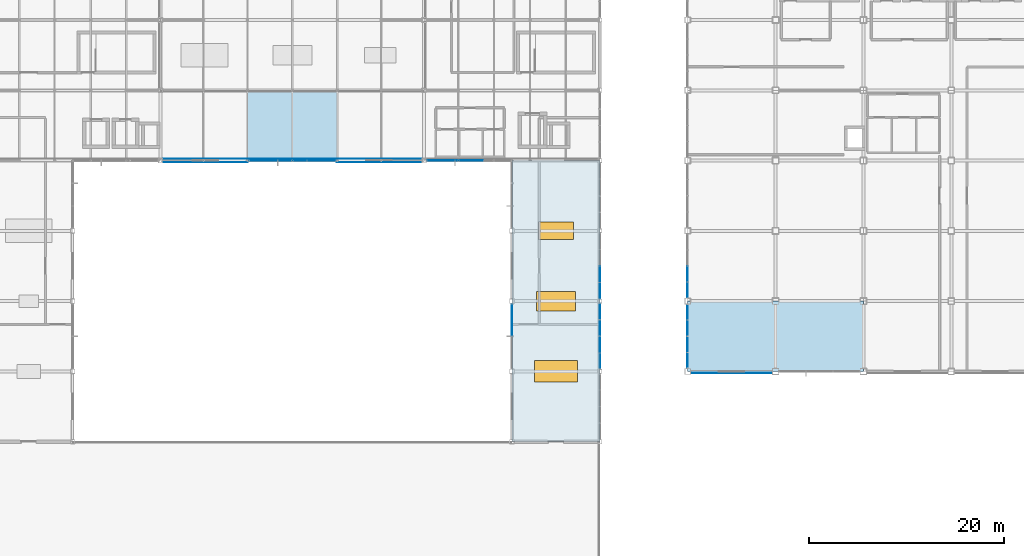
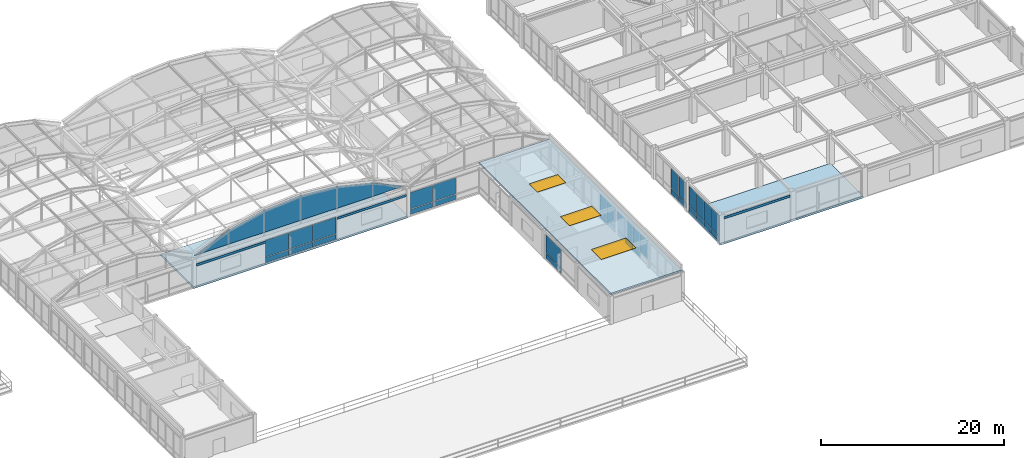
# One storey, part 79 of 106: 39 plates, 3 slabs, 3 windows, 3 openings, 7 elements without a shape of their own.
"""IFC4 building model written with IfcOpenShell, lengths in metres."""

from ifc_helpers import new_model, si_unit, direction, frame, origin, origin_2d, place, context, subcontext, project, spatial, polyline, rectangle, outline, extrude, material, layer, layer_set, type_object, element, fill, aggregate, save


model = new_model("IFC4")

# Units and contexts
model_context = context("Model", 3, precision=1e-05, world=origin(), true_north=direction((0.0, 1.0)))
body_context = subcontext(model_context, "Body", "Model", "MODEL_VIEW")
ifc_project = project(units=[si_unit("LENGTHUNIT", "METRE"), si_unit("AREAUNIT", "SQUARE_METRE"), si_unit("VOLUMEUNIT", "CUBIC_METRE"), si_unit("PLANEANGLEUNIT", "RADIAN"), si_unit("MASSUNIT", "GRAM", prefix="KILO")], contexts=[model_context])

# Site, building, storey
site_placement = place(None, origin())
site = spatial("IfcSite", under=ifc_project, at=site_placement, CompositionType="ELEMENT")
building_placement = place(site_placement, origin())
building = spatial("IfcBuilding", under=site, at=building_placement, Name="Kazanami Central Library", CompositionType="ELEMENT")
storey_placement = place(building_placement, frame((0.0, 0.0, 12.800048828125)))
storey = spatial("IfcBuildingStorey", under=building, at=storey_placement, Name="L04", CompositionType="ELEMENT", Elevation=12.800048828125)

# Plate
ifc_material_1 = material(Name="Acid-Etched Low-E Laminated Glass", Category="glass")
ifc_layer_1 = layer(ifc_material_1, 0.028076171875, Name="Acid-Etched Low-E Laminated Glass")
ifc_layer_set_1 = layer_set([ifc_layer_1], Name="Acid-Etched Low-E Laminated Glass")
plate_type_1 = type_object("IfcPlateType", Name="PLT-BVG-28", PredefinedType="SHEET", material=ifc_layer_set_1)
plate_1_placement = place(storey_placement, frame((63.25, 64.9619140625, 4.0), z_axis=(0.0, -1.0, 0.0), x_axis=(1.0, 0.0, 0.0)))
element("IfcPlate", 1, at=plate_1_placement, inside=storey, type_object=plate_type_1, Name="Glazed Barrel Vault Gable Tympanum VAULT-MAIN (South)", PredefinedType="SHEET", context=body_context, shape_type="SweptSolid", body=[
    extrude(outline(polyline([(0.0, 0.0), (26.5, 0.0), (22.27685546875, 1.889892578125), (17.822021484375, 2.982666015625), (13.25, 3.349853515625), (8.677978515625, 2.982666015625), (4.22314453125, 1.889892578125), (0.0, 0.0)])), origin(), (0.0, 0.0, -1.0), 0.028076171875),
])

# Curtain wall, plates
curtain_wall_type_1 = type_object("IfcCurtainWallType", Name="CW-9000x3080-M275", PredefinedType="USERDEFINED", material=ifc_material_1)
curtain_wall_1_placement = place(storey_placement, origin())
curtain_wall_1 = element("IfcCurtainWall", 2, at=curtain_wall_1_placement, inside=storey, type_object=curtain_wall_type_1, Name="Unitised Curtain Wall CW-41 L04 S-K-08", ObjectType="UNITISED CURTAIN WALL", PredefinedType="USERDEFINED")
ifc_layer_2 = layer(ifc_material_1, 0.035888671875, Name="Acid-Etched Low-E Laminated Glass")
ifc_layer_set_2 = layer_set([ifc_layer_2], Name="Acid-Etched Low-E Laminated Glass")
plate_type_2 = type_object("IfcPlateType", Name="PLT-CW-P1", PredefinedType="CURTAIN_PANEL", material=ifc_layer_set_2)
plate_2_placement = place(storey_placement, frame((73.517578125, 64.800048828125, 0.81494140625), z_axis=(0.0, 0.0, 1.0), x_axis=(1.0, 0.0, 0.0)))
plate_2 = element("IfcPlate", 3, at=plate_2_placement, type_object=plate_type_2, Name="CW-41 panel 1.2", PredefinedType="CURTAIN_PANEL", context=body_context, shape_type="SweptSolid", body=[
    extrude(rectangle(XDim=2.89501953125, YDim=0.035888671875, at=origin_2d()), origin(), (0.0, 0.0, 1.0), 2.195068359375),
])
plate_3_placement = place(storey_placement, frame((76.5, 64.800048828125, 0.81494140625), z_axis=(0.0, 0.0, 1.0), x_axis=(1.0, 0.0, 0.0)))
plate_3 = element("IfcPlate", 4, at=plate_3_placement, type_object=plate_type_2, Name="CW-41 panel 2.2", PredefinedType="CURTAIN_PANEL", context=body_context, shape_type="SweptSolid", body=[
    extrude(rectangle(XDim=2.929931640625, YDim=0.035888671875, at=origin_2d()), origin(), (0.0, 0.0, 1.0), 2.195068359375),
])
plate_4_placement = place(storey_placement, frame((79.482421875, 64.800048828125, 0.81494140625), z_axis=(0.0, 0.0, 1.0), x_axis=(1.0, 0.0, 0.0)))
plate_4 = element("IfcPlate", 5, at=plate_4_placement, type_object=plate_type_2, Name="CW-41 panel 3.2", PredefinedType="CURTAIN_PANEL", context=body_context, shape_type="SweptSolid", body=[
    extrude(rectangle(XDim=2.89501953125, YDim=0.035888671875, at=origin_2d()), origin(), (0.0, 0.0, 1.0), 2.195068359375),
])

curtain_wall_type_2 = type_object("IfcCurtainWallType", Name="CW-8775x3080-M275", PredefinedType="USERDEFINED", material=ifc_material_1)
curtain_wall_2_placement = place(storey_placement, origin())
curtain_wall_2 = element("IfcCurtainWall", 6, at=curtain_wall_2_placement, inside=storey, type_object=curtain_wall_type_2, Name="Unitised Curtain Wall CW-40 L04 S-K-10", ObjectType="UNITISED CURTAIN WALL", PredefinedType="USERDEFINED")
plate_5_placement = place(storey_placement, frame((91.705078125, 64.800048828125, 0.81494140625), z_axis=(0.0, 0.0, 1.0), x_axis=(1.0, 0.0, 0.0)))
plate_5 = element("IfcPlate", 7, at=plate_5_placement, type_object=plate_type_2, Name="CW-40 panel 1.2", PredefinedType="CURTAIN_PANEL", context=body_context, shape_type="SweptSolid", body=[
    extrude(rectangle(XDim=2.820068359375, YDim=0.035888671875, at=origin_2d()), origin(), (0.0, 0.0, 1.0), 2.195068359375),
])
plate_6_placement = place(storey_placement, frame((94.612548828125, 64.800048828125, 0.81494140625), z_axis=(0.0, 0.0, 1.0), x_axis=(1.0, 0.0, 0.0)))
plate_6 = element("IfcPlate", 8, at=plate_6_placement, type_object=plate_type_2, Name="CW-40 panel 2.2", PredefinedType="CURTAIN_PANEL", context=body_context, shape_type="SweptSolid", body=[
    extrude(rectangle(XDim=2.85498046875, YDim=0.035888671875, at=origin_2d()), origin(), (0.0, 0.0, 1.0), 2.195068359375),
])

# Curtain wall, plate
curtain_wall_type_3 = type_object("IfcCurtainWallType", Name="CW-6750x3330-M275", PredefinedType="USERDEFINED", material=ifc_material_1)
curtain_wall_3_placement = place(storey_placement, origin())
curtain_wall_3 = element("IfcCurtainWall", 9, at=curtain_wall_3_placement, inside=storey, type_object=curtain_wall_type_3, Name="Unitised Curtain Wall CW-45 L04 W-12-06", ObjectType="UNITISED CURTAIN WALL", PredefinedType="USERDEFINED")
plate_7_placement = place(storey_placement, frame((99.0, 48.469970703125, 0.81494140625), z_axis=(0.0, 0.0, 1.0), x_axis=(0.0, 1.0, 0.0)))
plate_7 = element("IfcPlate", 10, at=plate_7_placement, type_object=plate_type_2, Name="CW-45 panel 2.2", PredefinedType="CURTAIN_PANEL", context=body_context, shape_type="SweptSolid", body=[
    extrude(rectangle(XDim=3.27001953125, YDim=0.035888671875, at=origin_2d()), origin(), (0.0, 0.0, 1.0), 2.445068359375),
])

# Curtain wall, plates
curtain_wall_type_4 = type_object("IfcCurtainWallType", Name="CW-6800x3330-M180", PredefinedType="USERDEFINED", material=ifc_material_1)
curtain_wall_4_placement = place(storey_placement, origin())
curtain_wall_4 = element("IfcCurtainWall", 11, at=curtain_wall_4_placement, inside=storey, type_object=curtain_wall_type_4, Name="Covered Link Bridge Curtain Wall CW-44 L04 E-13-06", ObjectType="UNITISED CURTAIN WALL", PredefinedType="USERDEFINED")
ifc_material_2 = material(Name="Low-E Insulated Triple Glass", Category="glass")
ifc_layer_3 = layer(ifc_material_2, 0.0400390625, Name="Low-E Insulated Triple Glass")
ifc_layer_set_3 = layer_set([ifc_layer_3], Name="Low-E Insulated Triple Glass")
plate_type_3 = type_object("IfcPlateType", Name="PLT-CW-P3", PredefinedType="CURTAIN_PANEL", material=ifc_layer_set_3)
plate_8_placement = place(storey_placement, frame((108.0, 49.33251953125, 0.81494140625), z_axis=(0.0, 0.0, 1.0), x_axis=(0.0, -1.0, 0.0)))
plate_8 = element("IfcPlate", 12, at=plate_8_placement, type_object=plate_type_3, Name="CW-44 panel 1.2", PredefinedType="CURTAIN_PANEL", context=body_context, shape_type="SweptSolid", body=[
    extrude(rectangle(XDim=1.594970703125, YDim=0.0400390625, at=origin_2d()), origin(), (0.0, 0.0, 1.0), 2.445068359375),
])
plate_9_placement = place(storey_placement, frame((108.0, 47.64990234375, 0.81494140625), z_axis=(0.0, 0.0, 1.0), x_axis=(0.0, -1.0, 0.0)))
plate_9 = element("IfcPlate", 13, at=plate_9_placement, type_object=plate_type_3, Name="CW-44 panel 2.2", PredefinedType="CURTAIN_PANEL", context=body_context, shape_type="SweptSolid", body=[
    extrude(rectangle(XDim=1.6298828125, YDim=0.0400390625, at=origin_2d()), origin(), (0.0, 0.0, 1.0), 2.445068359375),
])
plate_10_placement = place(storey_placement, frame((108.0, 45.949951171875, 0.81494140625), z_axis=(0.0, 0.0, 1.0), x_axis=(0.0, -1.0, 0.0)))
plate_10 = element("IfcPlate", 14, at=plate_10_placement, type_object=plate_type_3, Name="CW-44 panel 3.2", PredefinedType="CURTAIN_PANEL", context=body_context, shape_type="SweptSolid", body=[
    extrude(rectangle(XDim=1.6298828125, YDim=0.0400390625, at=origin_2d()), origin(), (0.0, 0.0, 1.0), 2.445068359375),
])
plate_11_placement = place(storey_placement, frame((108.0, 44.267578125, 0.81494140625), z_axis=(0.0, 0.0, 1.0), x_axis=(0.0, -1.0, 0.0)))
plate_11 = element("IfcPlate", 15, at=plate_11_placement, type_object=plate_type_3, Name="CW-44 panel 4.2", PredefinedType="CURTAIN_PANEL", context=body_context, shape_type="SweptSolid", body=[
    extrude(rectangle(XDim=1.594970703125, YDim=0.0400390625, at=origin_2d()), origin(), (0.0, 0.0, 1.0), 2.445068359375),
])

curtain_wall_5_placement = place(storey_placement, origin())
curtain_wall_5 = element("IfcCurtainWall", 16, at=curtain_wall_5_placement, inside=storey, type_object=curtain_wall_type_4, Name="Covered Link Bridge Curtain Wall CW-44 L04 E-13-07", ObjectType="UNITISED CURTAIN WALL", PredefinedType="USERDEFINED")
plate_12_placement = place(storey_placement, frame((108.0, 53.14990234375, 0.81494140625), z_axis=(0.0, 0.0, 1.0), x_axis=(0.0, -1.0, 0.0)))
plate_12 = element("IfcPlate", 17, at=plate_12_placement, type_object=plate_type_3, Name="CW-44 panel 3.2", PredefinedType="CURTAIN_PANEL", context=body_context, shape_type="SweptSolid", body=[
    extrude(rectangle(XDim=1.6298828125, YDim=0.0400390625, at=origin_2d()), origin(), (0.0, 0.0, 1.0), 2.445068359375),
])
plate_13_placement = place(storey_placement, frame((108.0, 51.467529296875, 0.81494140625), z_axis=(0.0, 0.0, 1.0), x_axis=(0.0, -1.0, 0.0)))
plate_13 = element("IfcPlate", 18, at=plate_13_placement, type_object=plate_type_3, Name="CW-44 panel 4.2", PredefinedType="CURTAIN_PANEL", context=body_context, shape_type="SweptSolid", body=[
    extrude(rectangle(XDim=1.594970703125, YDim=0.0400390625, at=origin_2d()), origin(), (0.0, 0.0, 1.0), 2.445068359375),
])

curtain_wall_type_5 = type_object("IfcCurtainWallType", Name="CW-6600x3525-M180", PredefinedType="USERDEFINED", material=ifc_material_1)
curtain_wall_6_placement = place(storey_placement, origin())
curtain_wall_6 = element("IfcCurtainWall", 19, at=curtain_wall_6_placement, inside=storey, type_object=curtain_wall_type_5, Name="Covered Link Bridge Curtain Wall CW-47 L04 W-14-06", ObjectType="UNITISED CURTAIN WALL", PredefinedType="USERDEFINED")
plate_14_placement = place(storey_placement, frame((117.0, 44.340087890625, 0.81005859375), z_axis=(0.0, 0.0, 1.0), x_axis=(0.0, 1.0, 0.0)))
plate_14 = element("IfcPlate", 20, at=plate_14_placement, type_object=plate_type_3, Name="CW-47 panel 1.2", PredefinedType="CURTAIN_PANEL", context=body_context, shape_type="SweptSolid", body=[
    extrude(rectangle(XDim=1.56005859375, YDim=0.0400390625, at=origin_2d()), origin(), (0.0, 0.0, 1.0), 2.655029296875),
])
plate_15_placement = place(storey_placement, frame((117.0, 45.97509765625, 0.81005859375), z_axis=(0.0, 0.0, 1.0), x_axis=(0.0, 1.0, 0.0)))
plate_15 = element("IfcPlate", 21, at=plate_15_placement, type_object=plate_type_3, Name="CW-47 panel 2.2", PredefinedType="CURTAIN_PANEL", context=body_context, shape_type="SweptSolid", body=[
    extrude(rectangle(XDim=1.590087890625, YDim=0.0400390625, at=origin_2d()), origin(), (0.0, 0.0, 1.0), 2.655029296875),
])
plate_16_placement = place(storey_placement, frame((117.0, 47.625, 0.81005859375), z_axis=(0.0, 0.0, 1.0), x_axis=(0.0, 1.0, 0.0)))
plate_16 = element("IfcPlate", 22, at=plate_16_placement, type_object=plate_type_3, Name="CW-47 panel 3.2", PredefinedType="CURTAIN_PANEL", context=body_context, shape_type="SweptSolid", body=[
    extrude(rectangle(XDim=1.590087890625, YDim=0.0400390625, at=origin_2d()), origin(), (0.0, 0.0, 1.0), 2.655029296875),
])
plate_17_placement = place(storey_placement, frame((117.0, 49.260009765625, 0.81005859375), z_axis=(0.0, 0.0, 1.0), x_axis=(0.0, 1.0, 0.0)))
plate_17 = element("IfcPlate", 23, at=plate_17_placement, type_object=plate_type_3, Name="CW-47 panel 4.2", PredefinedType="CURTAIN_PANEL", context=body_context, shape_type="SweptSolid", body=[
    extrude(rectangle(XDim=1.56005859375, YDim=0.0400390625, at=origin_2d()), origin(), (0.0, 0.0, 1.0), 2.655029296875),
])

curtain_wall_type_6 = type_object("IfcCurtainWallType", Name="CW-6600x3490-M180", PredefinedType="USERDEFINED", material=ifc_material_1)
curtain_wall_7_placement = place(storey_placement, origin())
curtain_wall_7 = element("IfcCurtainWall", 24, at=curtain_wall_7_placement, inside=storey, type_object=curtain_wall_type_6, Name="Covered Link Bridge Curtain Wall CW-48 L04 W-14-07", ObjectType="UNITISED CURTAIN WALL", PredefinedType="USERDEFINED")
plate_18_placement = place(storey_placement, frame((117.0, 51.5400390625, 0.809814453125), z_axis=(0.0, 0.0, 1.0), x_axis=(0.0, 1.0, 0.0)))
plate_18 = element("IfcPlate", 25, at=plate_18_placement, type_object=plate_type_3, Name="CW-48 panel 1.2", PredefinedType="CURTAIN_PANEL", context=body_context, shape_type="SweptSolid", body=[
    extrude(rectangle(XDim=1.56005859375, YDim=0.0400390625, at=origin_2d()), origin(), (0.0, 0.0, 1.0), 2.6201171875),
])
plate_19_placement = place(storey_placement, frame((117.0, 53.175048828125, 0.809814453125), z_axis=(0.0, 0.0, 1.0), x_axis=(0.0, 1.0, 0.0)))
plate_19 = element("IfcPlate", 26, at=plate_19_placement, type_object=plate_type_3, Name="CW-48 panel 2.2", PredefinedType="CURTAIN_PANEL", context=body_context, shape_type="SweptSolid", body=[
    extrude(rectangle(XDim=1.590087890625, YDim=0.0400390625, at=origin_2d()), origin(), (0.0, 0.0, 1.0), 2.6201171875),
])

# Plate
ifc_material_3 = material(Name="Anodised Aluminium A5052-H32", Category="aluminium")
ifc_layer_4 = layer(ifc_material_3, 0.06005859375, Name="Anodised Aluminium A5052-H32")
ifc_layer_set_4 = layer_set([ifc_layer_4], Name="Anodised Aluminium A5052-H32")
plate_type_4 = type_object("IfcPlateType", Name="PLT-CW-SP1", PredefinedType="CURTAIN_PANEL", material=ifc_layer_set_4)
plate_20_placement = place(storey_placement, frame((73.517578125, 64.800048828125, 0.06982421875), z_axis=(0.0, 0.0, 1.0), x_axis=(1.0, 0.0, 0.0)))
plate_20 = element("IfcPlate", 27, at=plate_20_placement, type_object=plate_type_4, Name="CW-41 panel 1.1", PredefinedType="CURTAIN_PANEL", context=body_context, shape_type="SweptSolid", body=[
    extrude(rectangle(XDim=2.89501953125, YDim=0.06005859375, at=origin_2d()), origin(), (0.0, 0.0, 1.0), 0.675048828125),
])

plate_21_placement = place(storey_placement, frame((76.5, 64.800048828125, 0.06982421875), z_axis=(0.0, 0.0, 1.0), x_axis=(1.0, 0.0, 0.0)))
plate_21 = element("IfcPlate", 28, at=plate_21_placement, type_object=plate_type_4, Name="CW-41 panel 2.1", PredefinedType="CURTAIN_PANEL", context=body_context, shape_type="SweptSolid", body=[
    extrude(rectangle(XDim=2.929931640625, YDim=0.06005859375, at=origin_2d()), origin(), (0.0, 0.0, 1.0), 0.675048828125),
])

plate_22_placement = place(storey_placement, frame((79.482421875, 64.800048828125, 0.06982421875), z_axis=(0.0, 0.0, 1.0), x_axis=(1.0, 0.0, 0.0)))
plate_22 = element("IfcPlate", 29, at=plate_22_placement, type_object=plate_type_4, Name="CW-41 panel 3.1", PredefinedType="CURTAIN_PANEL", context=body_context, shape_type="SweptSolid", body=[
    extrude(rectangle(XDim=2.89501953125, YDim=0.06005859375, at=origin_2d()), origin(), (0.0, 0.0, 1.0), 0.675048828125),
])

aggregate(curtain_wall_1, [plate_20, plate_2, plate_21, plate_3, plate_22, plate_4])

plate_23_placement = place(storey_placement, frame((91.705078125, 64.800048828125, 0.06982421875), z_axis=(0.0, 0.0, 1.0), x_axis=(1.0, 0.0, 0.0)))
plate_23 = element("IfcPlate", 30, at=plate_23_placement, type_object=plate_type_4, Name="CW-40 panel 1.1", PredefinedType="CURTAIN_PANEL", context=body_context, shape_type="SweptSolid", body=[
    extrude(rectangle(XDim=2.820068359375, YDim=0.06005859375, at=origin_2d()), origin(), (0.0, 0.0, 1.0), 0.675048828125),
])

plate_24_placement = place(storey_placement, frame((94.612548828125, 64.800048828125, 0.06982421875), z_axis=(0.0, 0.0, 1.0), x_axis=(1.0, 0.0, 0.0)))
plate_24 = element("IfcPlate", 31, at=plate_24_placement, type_object=plate_type_4, Name="CW-40 panel 2.1", PredefinedType="CURTAIN_PANEL", context=body_context, shape_type="SweptSolid", body=[
    extrude(rectangle(XDim=2.85498046875, YDim=0.06005859375, at=origin_2d()), origin(), (0.0, 0.0, 1.0), 0.675048828125),
])

aggregate(curtain_wall_2, [plate_23, plate_5, plate_24, plate_6])

plate_25_placement = place(storey_placement, frame((99.0, 48.469970703125, 0.06982421875), z_axis=(0.0, 0.0, 1.0), x_axis=(0.0, 1.0, 0.0)))
plate_25 = element("IfcPlate", 32, at=plate_25_placement, type_object=plate_type_4, Name="CW-45 panel 2.1", PredefinedType="CURTAIN_PANEL", context=body_context, shape_type="SweptSolid", body=[
    extrude(rectangle(XDim=3.27001953125, YDim=0.06005859375, at=origin_2d()), origin(), (0.0, 0.0, 1.0), 0.675048828125),
])

aggregate(curtain_wall_3, [plate_25, plate_7])

plate_26_placement = place(storey_placement, frame((108.0, 49.33251953125, 0.06982421875), z_axis=(0.0, 0.0, 1.0), x_axis=(0.0, -1.0, 0.0)))
plate_26 = element("IfcPlate", 33, at=plate_26_placement, type_object=plate_type_4, Name="CW-44 panel 1.1", PredefinedType="CURTAIN_PANEL", context=body_context, shape_type="SweptSolid", body=[
    extrude(rectangle(XDim=1.594970703125, YDim=0.06005859375, at=origin_2d()), origin(), (0.0, 0.0, 1.0), 0.675048828125),
])

plate_27_placement = place(storey_placement, frame((108.0, 47.64990234375, 0.06982421875), z_axis=(0.0, 0.0, 1.0), x_axis=(0.0, -1.0, 0.0)))
plate_27 = element("IfcPlate", 34, at=plate_27_placement, type_object=plate_type_4, Name="CW-44 panel 2.1", PredefinedType="CURTAIN_PANEL", context=body_context, shape_type="SweptSolid", body=[
    extrude(rectangle(XDim=1.6298828125, YDim=0.06005859375, at=origin_2d()), origin(), (0.0, 0.0, 1.0), 0.675048828125),
])

plate_28_placement = place(storey_placement, frame((108.0, 45.949951171875, 0.06982421875), z_axis=(0.0, 0.0, 1.0), x_axis=(0.0, -1.0, 0.0)))
plate_28 = element("IfcPlate", 35, at=plate_28_placement, type_object=plate_type_4, Name="CW-44 panel 3.1", PredefinedType="CURTAIN_PANEL", context=body_context, shape_type="SweptSolid", body=[
    extrude(rectangle(XDim=1.6298828125, YDim=0.06005859375, at=origin_2d()), origin(), (0.0, 0.0, 1.0), 0.675048828125),
])

aggregate(curtain_wall_4, [plate_26, plate_8, plate_27, plate_9, plate_28, plate_10, plate_11])

plate_29_placement = place(storey_placement, frame((108.0, 53.14990234375, 0.06982421875), z_axis=(0.0, 0.0, 1.0), x_axis=(0.0, -1.0, 0.0)))
plate_29 = element("IfcPlate", 36, at=plate_29_placement, type_object=plate_type_4, Name="CW-44 panel 3.1", PredefinedType="CURTAIN_PANEL", context=body_context, shape_type="SweptSolid", body=[
    extrude(rectangle(XDim=1.6298828125, YDim=0.06005859375, at=origin_2d()), origin(), (0.0, 0.0, 1.0), 0.675048828125),
])

plate_30_placement = place(storey_placement, frame((108.0, 51.467529296875, 0.06982421875), z_axis=(0.0, 0.0, 1.0), x_axis=(0.0, -1.0, 0.0)))
plate_30 = element("IfcPlate", 37, at=plate_30_placement, type_object=plate_type_4, Name="CW-44 panel 4.1", PredefinedType="CURTAIN_PANEL", context=body_context, shape_type="SweptSolid", body=[
    extrude(rectangle(XDim=1.594970703125, YDim=0.06005859375, at=origin_2d()), origin(), (0.0, 0.0, 1.0), 0.675048828125),
])

aggregate(curtain_wall_5, [plate_29, plate_12, plate_30, plate_13])

ifc_layer_5 = layer(ifc_material_3, 0.052001953125, Name="Anodised Aluminium A5052-H32")
ifc_layer_set_5 = layer_set([ifc_layer_5], Name="Anodised Aluminium A5052-H32")
plate_type_5 = type_object("IfcPlateType", Name="PLT-CW-SP2", PredefinedType="CURTAIN_PANEL", material=ifc_layer_set_5)
plate_31_placement = place(storey_placement, frame((117.0, 44.340087890625, 0.06005859375), z_axis=(0.0, 0.0, 1.0), x_axis=(0.0, 1.0, 0.0)))
plate_31 = element("IfcPlate", 38, at=plate_31_placement, type_object=plate_type_5, Name="CW-47 panel 1.1", PredefinedType="CURTAIN_PANEL", context=body_context, shape_type="SweptSolid", body=[
    extrude(rectangle(XDim=1.56005859375, YDim=0.052001953125, at=origin_2d()), origin(), (0.0, 0.0, 1.0), 0.68994140625),
])

plate_32_placement = place(storey_placement, frame((117.0, 45.97509765625, 0.06005859375), z_axis=(0.0, 0.0, 1.0), x_axis=(0.0, 1.0, 0.0)))
plate_32 = element("IfcPlate", 39, at=plate_32_placement, type_object=plate_type_5, Name="CW-47 panel 2.1", PredefinedType="CURTAIN_PANEL", context=body_context, shape_type="SweptSolid", body=[
    extrude(rectangle(XDim=1.590087890625, YDim=0.052001953125, at=origin_2d()), origin(), (0.0, 0.0, 1.0), 0.68994140625),
])

plate_33_placement = place(storey_placement, frame((117.0, 47.625, 0.06005859375), z_axis=(0.0, 0.0, 1.0), x_axis=(0.0, 1.0, 0.0)))
plate_33 = element("IfcPlate", 40, at=plate_33_placement, type_object=plate_type_5, Name="CW-47 panel 3.1", PredefinedType="CURTAIN_PANEL", context=body_context, shape_type="SweptSolid", body=[
    extrude(rectangle(XDim=1.590087890625, YDim=0.052001953125, at=origin_2d()), origin(), (0.0, 0.0, 1.0), 0.68994140625),
])

plate_34_placement = place(storey_placement, frame((117.0, 49.260009765625, 0.06005859375), z_axis=(0.0, 0.0, 1.0), x_axis=(0.0, 1.0, 0.0)))
plate_34 = element("IfcPlate", 41, at=plate_34_placement, type_object=plate_type_5, Name="CW-47 panel 4.1", PredefinedType="CURTAIN_PANEL", context=body_context, shape_type="SweptSolid", body=[
    extrude(rectangle(XDim=1.56005859375, YDim=0.052001953125, at=origin_2d()), origin(), (0.0, 0.0, 1.0), 0.68994140625),
])

aggregate(curtain_wall_6, [plate_31, plate_14, plate_32, plate_15, plate_33, plate_16, plate_34, plate_17])

plate_35_placement = place(storey_placement, frame((117.0, 51.5400390625, 0.06005859375), z_axis=(0.0, 0.0, 1.0), x_axis=(0.0, 1.0, 0.0)))
plate_35 = element("IfcPlate", 42, at=plate_35_placement, type_object=plate_type_5, Name="CW-48 panel 1.1", PredefinedType="CURTAIN_PANEL", context=body_context, shape_type="SweptSolid", body=[
    extrude(rectangle(XDim=1.56005859375, YDim=0.052001953125, at=origin_2d()), origin(), (0.0, 0.0, 1.0), 0.68994140625),
])

plate_36_placement = place(storey_placement, frame((117.0, 53.175048828125, 0.06005859375), z_axis=(0.0, 0.0, 1.0), x_axis=(0.0, 1.0, 0.0)))
plate_36 = element("IfcPlate", 43, at=plate_36_placement, type_object=plate_type_5, Name="CW-48 panel 2.1", PredefinedType="CURTAIN_PANEL", context=body_context, shape_type="SweptSolid", body=[
    extrude(rectangle(XDim=1.590087890625, YDim=0.052001953125, at=origin_2d()), origin(), (0.0, 0.0, 1.0), 0.68994140625),
])

aggregate(curtain_wall_7, [plate_35, plate_18, plate_36, plate_19])

# Plates
ifc_layer_6 = layer(ifc_material_3, 0.011962890625, Name="Anodised Aluminium A5052-H32")
ifc_layer_set_6 = layer_set([ifc_layer_6], Name="Anodised Aluminium A5052-H32")
plate_type_6 = type_object("IfcPlateType", Name="PLT-SPN-12", PredefinedType="SHEET", material=ifc_layer_set_6)
plate_37_placement = place(storey_placement, frame((85.387451171875, 64.634033203125, 2.77001953125), z_axis=(0.0, 0.0, 1.0), x_axis=(1.0, 0.0, 0.0)))
element("IfcPlate", 44, at=plate_37_placement, inside=storey, type_object=plate_type_6, Name="Architectural Spandrel Sheet SPN-12 L04 S-K-09", PredefinedType="SHEET", context=body_context, shape_type="SweptSolid", body=[
    extrude(rectangle(XDim=8.675048828125, YDim=0.011962890625, at=origin_2d()), origin(), (0.0, 0.0, 1.0), 0.300048828125),
])
ifc_layer_7 = layer(ifc_material_3, 0.02001953125, Name="Anodised Aluminium A5052-H32")
ifc_layer_set_7 = layer_set([ifc_layer_7], Name="Anodised Aluminium A5052-H32")
plate_type_7 = type_object("IfcPlateType", Name="PLT-SPN-20", PredefinedType="SHEET", material=ifc_layer_set_7)
plate_38_placement = place(storey_placement, frame((121.487548828125, 43.030029296875, 3.21484375), z_axis=(0.0, 0.0, 1.0), x_axis=(1.0, 0.0, 0.0)))
element("IfcPlate", 45, at=plate_38_placement, inside=storey, type_object=plate_type_7, Name="Architectural Spandrel Sheet SPN-20 L04 S-G-13", PredefinedType="SHEET", context=body_context, shape_type="SweptSolid", body=[
    extrude(rectangle(XDim=8.27490234375, YDim=0.02001953125, at=origin_2d()), origin(), (0.0, 0.0, 1.0), 0.300048828125),
])
plate_39_placement = place(storey_placement, frame((67.612548828125, 64.6298828125, 2.77001953125), z_axis=(0.0, 0.0, 1.0), x_axis=(1.0, 0.0, 0.0)))
element("IfcPlate", 46, at=plate_39_placement, inside=storey, type_object=plate_type_7, Name="Architectural Spandrel Sheet SPN-20 L04 S-K-07", PredefinedType="SHEET", context=body_context, shape_type="SweptSolid", body=[
    extrude(rectangle(XDim=8.675048828125, YDim=0.02001953125, at=origin_2d()), origin(), (0.0, 0.0, 1.0), 0.300048828125),
])

# Slabs
ifc_material_4 = material(Name="Concrete Fc36 (36 MPa)", Category="concrete")
ifc_layer_8 = layer(ifc_material_4, 0.2548828125, Name="Concrete Fc36 (36 MPa)")
ifc_layer_set_8 = layer_set([ifc_layer_8], Name="Concrete Fc36 (36 MPa)")
slab_type_1 = type_object("IfcSlabType", Name="SLB-FLR-255", PredefinedType="FLOOR", material=ifc_layer_set_8)
slab_1_placement = place(storey_placement, frame((0.0, 0.0, -0.255126953125)))
element("IfcSlab", 47, at=slab_1_placement, inside=storey, type_object=slab_type_1, Name="Composite Floor Slab L04 V1-NORTH Zone 14", PredefinedType="FLOOR", context=body_context, shape_type="SweptSolid", body=[
    extrude(outline(polyline([(63.0, 64.800048828125), (90.0, 64.800048828125), (90.0, 72.0), (63.0, 72.0), (63.0, 64.800048828125)])), origin(), (0.0, 0.0, 1.0), 0.255126953125),
])
slab_2_placement = place(storey_placement, frame((0.0, 0.0, -0.255126953125)))
element("IfcSlab", 48, at=slab_2_placement, inside=storey, type_object=slab_type_1, Name="Composite Floor Slab L04 V2-MAIN Zone 19", PredefinedType="FLOOR", context=body_context, shape_type="SweptSolid", body=[
    extrude(outline(polyline([(117.0, 43.199951171875), (135.0, 43.199951171875), (135.0, 50.39990234375), (117.0, 50.39990234375), (117.0, 43.199951171875)])), origin(), (0.0, 0.0, 1.0), 0.255126953125),
])

# Slab, openings, windows
ifc_layer_9 = layer(ifc_material_4, 0.219970703125, Name="Concrete Fc36 (36 MPa)")
ifc_layer_set_9 = layer_set([ifc_layer_9], Name="Concrete Fc36 (36 MPa)")
slab_type_2 = type_object("IfcSlabType", Name="SLB-ROOF-220", PredefinedType="ROOF", material=ifc_layer_set_9)
slab_3_placement = place(storey_placement, frame((0.0, 0.0, 3.780029296875)))
slab_3 = element("IfcSlab", 49, at=slab_3_placement, inside=storey, type_object=slab_type_2, Name="Structural Roof Slab ROOF-L04-V1E", PredefinedType="ROOF", context=body_context, shape_type="SweptSolid", body=[
    extrude(outline(polyline([(99.0, 36.0), (108.0, 36.0), (108.0, 64.800048828125), (99.0, 64.800048828125), (99.0, 36.0)])), origin(), (0.0, 0.0, 1.0), 0.219970703125),
])
opening_1_placement = place(slab_3_placement, frame((103.5, 43.199951171875, -0.011962890625)))
opening_1 = element("IfcOpeningElement", 50, at=opening_1_placement, cuts=slab_3, Name="Opening SK-02", PredefinedType="OPENING", context=body_context, shape_type="SweptSolid", body=[
    extrude(rectangle(XDim=4.39990234375, YDim=2.199951171875, at=origin_2d()), origin(), (0.0, 0.0, 1.0), 0.243896484375),
])
opening_2_placement = place(slab_3_placement, frame((103.5, 50.39990234375, -0.011962890625)))
opening_2 = element("IfcOpeningElement", 51, at=opening_2_placement, cuts=slab_3, Name="Opening SK-03", PredefinedType="OPENING", context=body_context, shape_type="SweptSolid", body=[
    extrude(rectangle(XDim=4.0, YDim=2.0, at=origin_2d()), origin(), (0.0, 0.0, 1.0), 0.243896484375),
])
opening_3_placement = place(slab_3_placement, frame((103.5, 57.60009765625, -0.011962890625)))
opening_3 = element("IfcOpeningElement", 52, at=opening_3_placement, cuts=slab_3, Name="Opening SK-04", PredefinedType="OPENING", context=body_context, shape_type="SweptSolid", body=[
    extrude(rectangle(XDim=3.60009765625, YDim=1.800048828125, at=origin_2d()), origin(), (0.0, 0.0, 1.0), 0.243896484375),
])
window_type_1 = type_object("IfcWindowType", Name="WIN-SK-02", PartitioningType="DOUBLE_PANEL_VERTICAL", PredefinedType="SKYLIGHT", material=ifc_material_2)
window_1_placement = place(slab_3_placement, frame((103.5, 43.199951171875, 0.159912109375)))
window_1 = element("IfcWindow", 53, at=window_1_placement, inside=storey, type_object=window_type_1, Name="Reading Gallery Skylight SK-02-10", OverallHeight=2.199951171875, OverallWidth=4.39990234375, PartitioningType="SINGLE_PANEL", PredefinedType="SKYLIGHT", context=body_context, shape_type="SweptSolid", body=[
    extrude(rectangle(XDim=4.39990234375, YDim=2.199951171875, at=origin_2d()), origin(), (0.0, 0.0, 1.0), 0.06005859375),
])
fill(opening_1, window_1)
window_type_2 = type_object("IfcWindowType", Name="WIN-SK-03", PartitioningType="DOUBLE_PANEL_VERTICAL", PredefinedType="SKYLIGHT", material=ifc_material_2)
window_2_placement = place(slab_3_placement, frame((103.5, 50.39990234375, 0.159912109375)))
window_2 = element("IfcWindow", 54, at=window_2_placement, inside=storey, type_object=window_type_2, Name="Reading Gallery Skylight SK-03-11", OverallHeight=2.0, OverallWidth=4.0, PartitioningType="SINGLE_PANEL", PredefinedType="SKYLIGHT", context=body_context, shape_type="SweptSolid", body=[
    extrude(rectangle(XDim=4.0, YDim=2.0, at=origin_2d()), origin(), (0.0, 0.0, 1.0), 0.06005859375),
])
fill(opening_2, window_2)
window_type_3 = type_object("IfcWindowType", Name="WIN-SK-04", PartitioningType="DOUBLE_PANEL_VERTICAL", PredefinedType="SKYLIGHT", material=ifc_material_2)
window_3_placement = place(slab_3_placement, frame((103.5, 57.60009765625, 0.159912109375)))
window_3 = element("IfcWindow", 55, at=window_3_placement, inside=storey, type_object=window_type_3, Name="Reading Gallery Skylight SK-04-12", OverallHeight=1.800048828125, OverallWidth=3.60009765625, PartitioningType="SINGLE_PANEL", PredefinedType="SKYLIGHT", context=body_context, shape_type="SweptSolid", body=[
    extrude(rectangle(XDim=3.60009765625, YDim=1.800048828125, at=origin_2d()), origin(), (0.0, 0.0, 1.0), 0.06005859375),
])
fill(opening_3, window_3)

save(model, "model.ifc")
